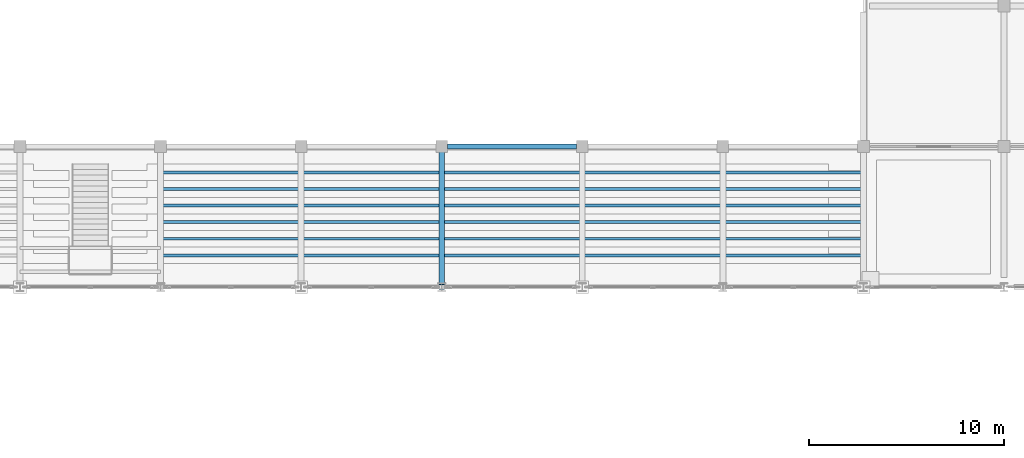
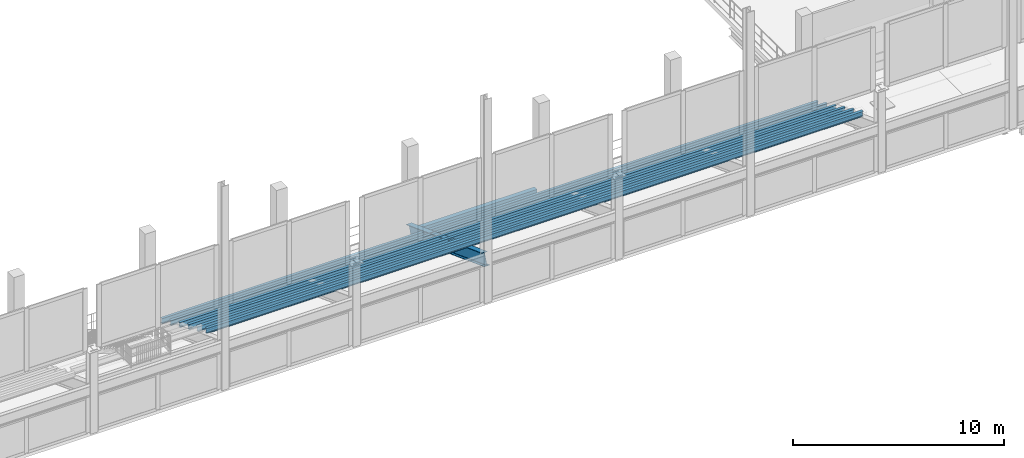
# One storey, part 27 of 120: 8 beams.
"""IFC4 building model written with IfcOpenShell, lengths in metres."""

from ifc_helpers import new_model, si_unit, direction, frame, origin, origin_2d, place, context, subcontext, project, spatial, hollow_rectangle, i_section, extrude, material, material_profile, profile_set, type_object, element, save


model = new_model("IFC4")

# Units and contexts
model_context = context("Model", 3, precision=1e-05, world=origin(), true_north=direction((0.0, 1.0)))
body_context = subcontext(model_context, "Body", "Model", "MODEL_VIEW")
ifc_project = project(units=[si_unit("LENGTHUNIT", "METRE"), si_unit("AREAUNIT", "SQUARE_METRE"), si_unit("VOLUMEUNIT", "CUBIC_METRE"), si_unit("PLANEANGLEUNIT", "RADIAN"), si_unit("MASSUNIT", "GRAM", prefix="KILO")], contexts=[model_context])

# Site, building, storey
site_placement = place(None, origin())
site = spatial("IfcSite", under=ifc_project, at=site_placement, CompositionType="ELEMENT")
building_placement = place(site_placement, origin())
building = spatial("IfcBuilding", under=site, at=building_placement, Name="Vesperath Aquatics Centre", CompositionType="ELEMENT")
storey_placement = place(building_placement, frame((0.0, 0.0, 10.199951171875)))
storey = spatial("IfcBuildingStorey", under=building, at=storey_placement, Name="L02", CompositionType="ELEMENT", Elevation=10.199951171875)

# Beams
ifc_material_1 = material(Name="Steel Q355C", Category="steel")
ifc_material_profile_1 = material_profile(ifc_material_1, i_section(OverallWidth=0.14990234375, OverallDepth=0.300048828125, WebThickness=0.006591796875, FlangeThickness=0.009033203125, FilletRadius=0.012939453125, at=origin_2d()), Name="HN 300x150x6.5x9")
ifc_profile_set_1 = profile_set([ifc_material_profile_1], Name="Steel Q355C")
beam_type_1 = type_object("IfcBeamType", Name="BM-J06", PredefinedType="JOIST", material=ifc_profile_set_1)
for number, where, z_axis, x_axis, name in (
    (1, (50.39990234375, 20.27490234375, 0.320068359375), (1.0, 0.0, 0.0), (0.0, 1.0, 0.0), "Upper Tier Bearer Beam J06 S-R1-U2M"),
    (2, (50.39990234375, 19.425048828125, 0.719970703125), (1.0, 0.0, 0.0), (0.0, 1.0, 0.0), "Upper Tier Bearer Beam J06 S-R2-U2M"),
    (3, (50.39990234375, 18.574951171875, 1.1201171875), (1.0, 0.0, 0.0), (0.0, 1.0, 0.0), "Upper Tier Bearer Beam J06 S-R3-U2M"),
    (4, (50.39990234375, 17.72509765625, 1.52001953125), (1.0, 0.0, 0.0), (0.0, 1.0, 0.0), "Upper Tier Bearer Beam J06 S-R4-U2M"),
    (5, (50.39990234375, 16.875, 1.920166015625), (1.0, 0.0, 0.0), (0.0, 1.0, 0.0), "Upper Tier Bearer Beam J06 S-R5-U2M"),
    (6, (50.39990234375, 16.02490234375, 2.320068359375), (1.0, 0.0, 0.0), (0.0, 1.0, 0.0), "Upper Tier Bearer Beam J06 S-R6-U2M"),
):
    element("IfcBeam", number, at=place(storey_placement, frame(where, z_axis=z_axis, x_axis=x_axis)), inside=storey, type_object=beam_type_1, Name=name, PredefinedType="JOIST", context=body_context, shape_type="SweptSolid", body=[
        extrude(i_section(OverallWidth=0.14990234375, OverallDepth=0.300048828125, WebThickness=0.006591796875, FlangeThickness=0.009033203125, FilletRadius=0.012939453125, at=origin_2d()), origin(), (0.0, 0.0, 1.0), 36.0),
    ])
ifc_material_2 = material(Name="Steel Q355D", Category="steel")
ifc_material_profile_2 = material_profile(ifc_material_2, i_section(OverallWidth=0.300048828125, OverallDepth=0.699951171875, WebThickness=0.012939453125, FlangeThickness=0.02392578125, FilletRadius=0.028076171875, at=origin_2d()), Name="HN 700x300x13x24")
ifc_profile_set_2 = profile_set([ifc_material_profile_2], Name="Steel Q355D")
beam_type_2 = type_object("IfcBeamType", Name="BM-RK02", PredefinedType="USERDEFINED", material=ifc_profile_set_2)
beam_1_placement = place(storey_placement, frame((64.800048828125, 21.60009765625, -0.300048828125), z_axis=(0.0, -0.93632395855, 0.351137358659), x_axis=(1.0, 0.0, 0.0)))
element("IfcBeam", 7, at=beam_1_placement, inside=storey, type_object=beam_type_2, Name="Upper Stand RAKER Beam RK02 South 10", ObjectType="RAKER", PredefinedType="USERDEFINED", context=body_context, shape_type="SweptSolid", body=[
    extrude(i_section(OverallWidth=0.300048828125, OverallDepth=0.699951171875, WebThickness=0.012939453125, FlangeThickness=0.02392578125, FilletRadius=0.028076171875, at=origin_2d()), origin(), (0.0, 0.0, 1.0), 7.68994140625),
])
ifc_material_profile_3 = material_profile(ifc_material_2, hollow_rectangle(XDim=0.25, YDim=0.35009765625, WallThickness=0.011962890625, at=origin_2d()), Name="RHS 350x250x12")
ifc_profile_set_3 = profile_set([ifc_material_profile_3], Name="Steel Q355D")
beam_type_3 = type_object("IfcBeamType", Name="BM-SP02", PredefinedType="SPANDREL", material=ifc_profile_set_3)
beam_2_placement = place(storey_placement, frame((65.10009765625, 21.60009765625, -0.43505859375), z_axis=(1.0, 0.0, 0.0), x_axis=(0.0, 1.0, 0.0)))
element("IfcBeam", 8, at=beam_2_placement, inside=storey, type_object=beam_type_3, Name="Floor Girder SP02 L02 D 10-11", PredefinedType="SPANDREL", context=body_context, shape_type="SweptSolid", body=[
    extrude(hollow_rectangle(XDim=0.25, YDim=0.35009765625, WallThickness=0.011962890625, at=origin_2d()), origin(), (0.0, 0.0, 1.0), 6.599853515625),
])

save(model, "model.ifc")
